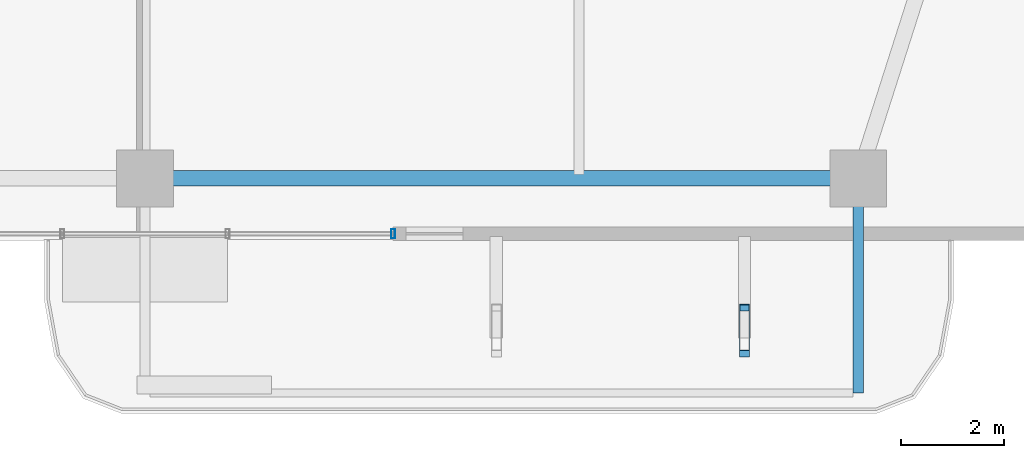
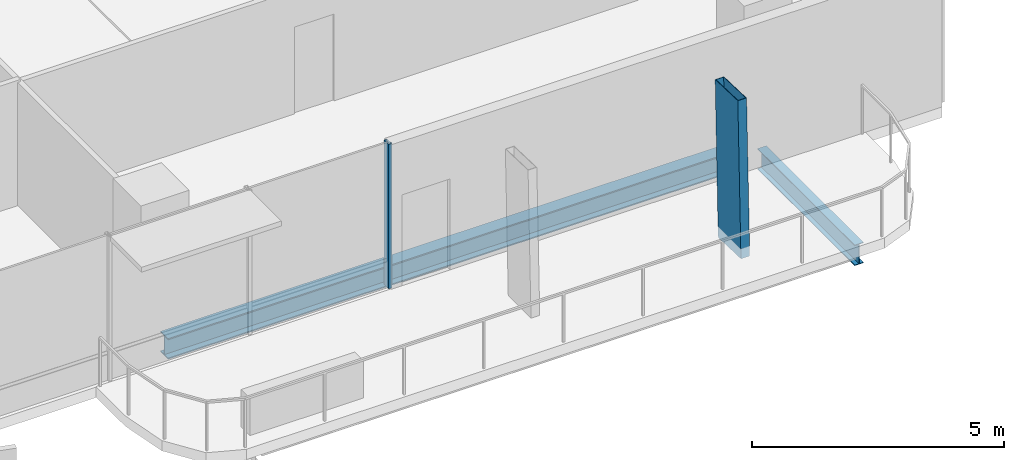
# One storey, part 8 of 25: 2 beams, 2 members, 1 element without a shape of its own.
"""IFC4 building model written with IfcOpenShell, lengths in metres."""

from ifc_helpers import new_model, si_unit, direction, frame, origin, origin_2d, place, context, subcontext, project, spatial, hollow_rectangle, i_section, extrude, material, layer, layer_set, material_profile, profile_set, type_object, element, aggregate, save


model = new_model("IFC4")

# Units and contexts
model_context = context("Model", 3, precision=1e-05, world=origin(), true_north=direction((0.0, 1.0)))
body_context = subcontext(model_context, "Body", "Model", "MODEL_VIEW")
ifc_project = project(units=[si_unit("LENGTHUNIT", "METRE"), si_unit("AREAUNIT", "SQUARE_METRE"), si_unit("VOLUMEUNIT", "CUBIC_METRE"), si_unit("PLANEANGLEUNIT", "RADIAN"), si_unit("MASSUNIT", "GRAM", prefix="KILO")], contexts=[model_context])

# Site, building, storey
site_placement = place(None, origin())
site = spatial("IfcSite", under=ifc_project, at=site_placement, CompositionType="ELEMENT")
building_placement = place(site_placement, origin())
building = spatial("IfcBuilding", under=site, at=building_placement, Name="Belovzor Exchange Tower", CompositionType="ELEMENT")
storey_placement = place(building_placement, frame((0.0, 0.0, 142.050048828125)))
storey = spatial("IfcBuildingStorey", under=building, at=storey_placement, Name="L34", CompositionType="ELEMENT", Elevation=142.050048828125)

# Beam
ifc_material_1 = material(Name="Steel S355", Category="steel")
ifc_material_profile_1 = material_profile(ifc_material_1, i_section(OverallWidth=0.199951171875, OverallDepth=0.5, WebThickness=0.01025390625, FlangeThickness=0.01611328125, at=origin_2d()))
ifc_profile_set_1 = profile_set([ifc_material_profile_1], Name="Steel S355")
beam_type_1 = type_object("IfcBeamType", Name="Planted Balcony Cantilever Beam IPE 500", PredefinedType="BEAM", material=ifc_profile_set_1)
beam_1_placement = place(storey_placement, frame((42.60009765625, 5.39697265625, -0.505126953125), z_axis=(0.0, -1.0, 0.0), x_axis=(1.0, 0.0, 0.0)))
element("IfcBeam", 1, at=beam_1_placement, inside=storey, type_object=beam_type_1, Name="BC-500 Planted Balcony Cantilever Beam IPE 500", PredefinedType="BEAM", context=body_context, shape_type="SweptSolid", body=[
    extrude(i_section(OverallWidth=0.199951171875, OverallDepth=0.5, WebThickness=0.01025390625, FlangeThickness=0.01611328125, at=origin_2d()), origin(), (0.0, 0.0, 1.0), 3.849853515625),
])

# Member
ifc_material_2 = material(Name="Extruded Architectural Terracotta on Steel S355 Carrier", Category="masonry")
ifc_material_profile_2 = material_profile(ifc_material_2, hollow_rectangle(XDim=0.199951171875, YDim=0.89990234375, WallThickness=0.011962890625, at=origin_2d()))
ifc_profile_set_2 = profile_set([ifc_material_profile_2], Name="Extruded Architectural Terracotta on Steel S355 Carrier")
member_type_1 = type_object("IfcMemberType", Name="Sweeping Terracotta Baguette Fin Assembly 1250", PredefinedType="USERDEFINED", material=ifc_profile_set_2)
member_1_placement = place(storey_placement, frame((40.39990234375, 2.693115234375, -0.255126953125), z_axis=(0.0, 0.032989845915, 0.999455686895), x_axis=(-1.0, 0.0, 0.0)))
element("IfcMember", 2, at=member_1_placement, inside=storey, type_object=member_type_1, Name="FIN-TC125 Terracotta Facade Fin L34 S4", ObjectType="FIN", PredefinedType="USERDEFINED", context=body_context, shape_type="SweptSolid", body=[
    extrude(hollow_rectangle(XDim=0.199951171875, YDim=0.89990234375, WallThickness=0.011962890625, at=origin_2d()), origin(), (0.0, 0.0, 1.0), 3.751953125),
])

# Curtain wall, member
ifc_material_3 = material(Name="Anodised Aluminium Framing", Category="aluminium")
ifc_layer = layer(ifc_material_3, 0.179931640625)
ifc_layer_set = layer_set([ifc_layer], Name="Anodised Aluminium Framing")
curtain_wall_type = type_object("IfcCurtainWallType", Name="Recessed Loggia Low-Iron Triple-Glazed Curtain Wall", PredefinedType="NOTDEFINED", material=ifc_layer_set)
curtain_wall_placement = place(storey_placement, origin())
curtain_wall = element("IfcCurtainWall", 3, at=curtain_wall_placement, inside=storey, type_object=curtain_wall_type, Name="CW3 Recessed Loggia Low-Iron Triple-Glazed Curtain Wall L34", PredefinedType="NOTDEFINED")
ifc_material_4 = material(Name="Steel S355", Category="steel")
ifc_material_profile_3 = material_profile(ifc_material_4, hollow_rectangle(XDim=0.074951171875, YDim=0.179931640625, WallThickness=0.0048828125, at=origin_2d()))
ifc_profile_set_3 = profile_set([ifc_material_profile_3], Name="Steel S355")
member_type_2 = type_object("IfcMemberType", Name="Thermally Broken Curtain Wall Mullion 180x75", PredefinedType="MULLION", material=ifc_profile_set_3)
member_2_placement = place(storey_placement, frame((33.60009765625, 4.6298828125, 0.0), z_axis=(0.0, 0.0, 1.0), x_axis=(-1.0, 0.0, 0.0)))
member_2 = element("IfcMember", 4, at=member_2_placement, type_object=member_type_2, Name="CW-M180 Curtain Wall Mullion 1", PredefinedType="MULLION", context=body_context, shape_type="SweptSolid", body=[
    extrude(hollow_rectangle(XDim=0.074951171875, YDim=0.179931640625, WallThickness=0.0048828125, at=origin_2d()), origin(), (0.0, 0.0, 1.0), 3.494873046875),
])
aggregate(curtain_wall, [member_2])

# Beam
ifc_material_5 = material(Name="Steel S355", Category="steel")
ifc_material_profile_4 = material_profile(ifc_material_5, i_section(OverallWidth=0.300048828125, OverallDepth=0.5, WebThickness=0.014404296875, FlangeThickness=0.028076171875, at=origin_2d()))
ifc_profile_set_4 = profile_set([ifc_material_profile_4], Name="Steel S355")
beam_type_2 = type_object("IfcBeamType", Name="Zone 3 Waist Primary Girder HEB 500", PredefinedType="BEAM", material=ifc_profile_set_4)
beam_2_placement = place(storey_placement, frame((29.10205078125, 5.699951171875, -0.505126953125), z_axis=(1.0, 0.0, 0.0), x_axis=(0.0, 1.0, 0.0)))
element("IfcBeam", 5, at=beam_2_placement, inside=storey, type_object=beam_type_2, Name="FG-Z3 Zone 3 Waist Primary Girder HEB 500", PredefinedType="BEAM", context=body_context, shape_type="SweptSolid", body=[
    extrude(i_section(OverallWidth=0.300048828125, OverallDepth=0.5, WebThickness=0.014404296875, FlangeThickness=0.028076171875, at=origin_2d()), origin(), (0.0, 0.0, 1.0), 13.195068359375),
])

save(model, "model.ifc")
